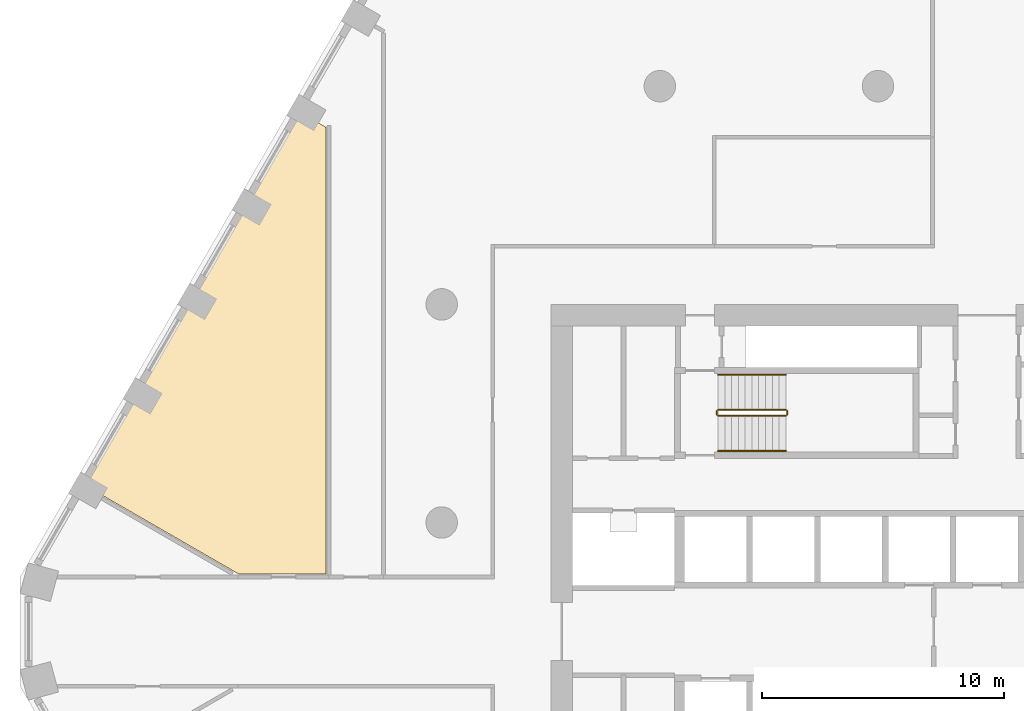
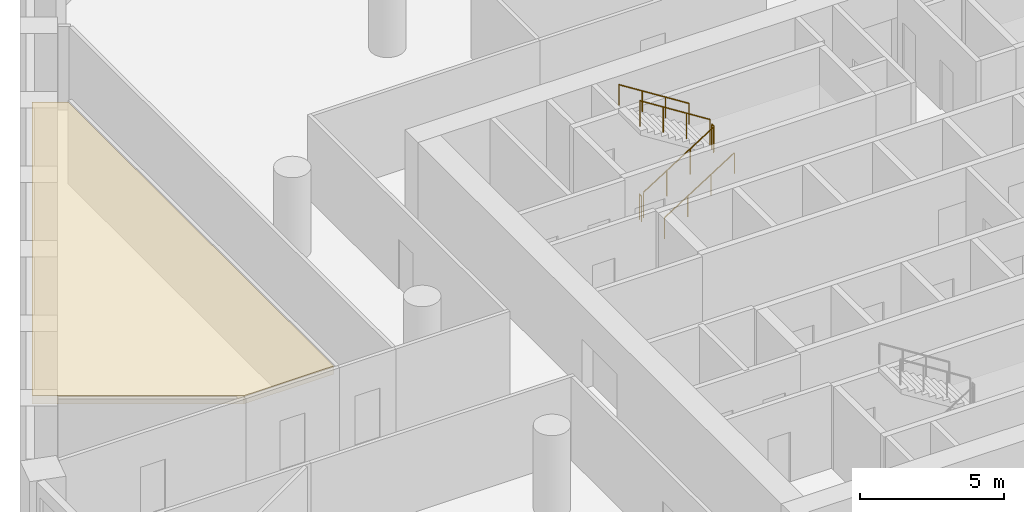
# One storey, part 12 of 14: 6 railings, 1 covering.
"""IFC4 building model written with IfcOpenShell, lengths in metres."""

from ifc_helpers import new_model, si_unit, direction, frame, origin, origin_2d, place, context, subcontext, project, spatial, polyline, circle, outline, extrude, material, layer, layer_set, type_object, element, save


model = new_model("IFC4")

# Units and contexts
model_context = context("Model", 3, precision=1e-05, world=origin(), true_north=direction((0.0, 1.0)))
body_context = subcontext(model_context, "Body", "Model", "MODEL_VIEW")
ifc_project = project(units=[si_unit("LENGTHUNIT", "METRE"), si_unit("AREAUNIT", "SQUARE_METRE"), si_unit("VOLUMEUNIT", "CUBIC_METRE"), si_unit("PLANEANGLEUNIT", "RADIAN"), si_unit("MASSUNIT", "GRAM", prefix="KILO")], contexts=[model_context])

# Site, building, storey
site_placement = place(None, origin())
site = spatial("IfcSite", under=ifc_project, at=site_placement, CompositionType="ELEMENT")
building_placement = place(site_placement, origin())
building = spatial("IfcBuilding", under=site, at=building_placement, Name="Dhurran Vertical Campus", CompositionType="ELEMENT")
storey_placement = place(building_placement, frame((0.0, 0.0, 96.89990234375)))
storey = spatial("IfcBuildingStorey", under=building, at=storey_placement, Name="L23", CompositionType="ELEMENT", Elevation=96.89990234375)

# Railings
ifc_material_1 = material(Name="Stainless steel balustrade", Category="steel")
railing_type_1 = type_object("IfcRailingType", Name="co-RL-GUARD-1100", PredefinedType="GUARDRAIL", material=ifc_material_1)
railing_1_placement = place(storey_placement, frame((-11.10009765625, 8.89990234375, 0.177490234375)))
element("IfcRailing", 1, at=railing_1_placement, inside=storey, type_object=railing_type_1, Name="L23 ST1 stair guard 1", PredefinedType="GUARDRAIL", context=body_context, shape_type="SweptSolid", body=[
    extrude(circle(Radius=0.02392578125, at=origin_2d()), frame((0.0, 0.0, 1.076171875), z_axis=(0.844908973607, 0.0, 0.534910110503), x_axis=(0.0, 1.0, 0.0)), (0.0, 0.0, 1.0), 3.31396484375),
    extrude(circle(Radius=0.02099609375, at=origin_2d()), origin(), (0.0, 0.0, 1.0), 1.052001953125),
    extrude(circle(Radius=0.02099609375, at=origin_2d()), frame((0.933349609375, 0.0, 0.5908203125)), (0.0, 0.0, 1.0), 1.052001953125),
    extrude(circle(Radius=0.02099609375, at=origin_2d()), frame((1.86669921875, 0.0, 1.181884765625)), (0.0, 0.0, 1.0), 1.052001953125),
    extrude(circle(Radius=0.02099609375, at=origin_2d()), frame((2.800048828125, 0.0, 1.772705078125)), (0.0, 0.0, 1.0), 1.052001953125),
])
railing_2_placement = place(storey_placement, frame((-8.25, 8.949951171875, 1.9501953125)))
element("IfcRailing", 2, at=railing_2_placement, inside=storey, type_object=railing_type_1, Name="L23 ST1 stair guard 2", PredefinedType="GUARDRAIL", context=body_context, shape_type="SweptSolid", body=[
    extrude(circle(Radius=0.02392578125, at=origin_2d()), frame((0.0, 0.0, 1.076171875), z_axis=(0.0, 1.0, 0.0), x_axis=(-1.0, 0.0, 0.0)), (0.0, 0.0, 1.0), 0.150146484375),
    extrude(circle(Radius=0.02099609375, at=origin_2d()), origin(), (0.0, 0.0, 1.0), 1.052001953125),
    extrude(circle(Radius=0.02099609375, at=origin_2d()), frame((0.0, 0.150146484375, 0.0)), (0.0, 0.0, 1.0), 1.052001953125),
])
railing_3_placement = place(storey_placement, frame((-8.300048828125, 9.14990234375, 2.12744140625)))
element("IfcRailing", 3, at=railing_3_placement, inside=storey, type_object=railing_type_1, Name="L23 ST1 stair guard 3", PredefinedType="GUARDRAIL", context=body_context, shape_type="SweptSolid", body=[
    extrude(circle(Radius=0.02392578125, at=origin_2d()), frame((0.0, 0.0, 1.076171875), z_axis=(-0.844908973607, 0.0, 0.534910110503), x_axis=(0.0, -1.0, 0.0)), (0.0, 0.0, 1.0), 3.31396484375),
    extrude(circle(Radius=0.02099609375, at=origin_2d()), origin(), (0.0, 0.0, 1.0), 1.052001953125),
    extrude(circle(Radius=0.02099609375, at=origin_2d()), frame((-0.933349609375, 0.0, 0.5908203125)), (0.0, 0.0, 1.0), 1.052001953125),
    extrude(circle(Radius=0.02099609375, at=origin_2d()), frame((-1.86669921875, 0.0, 1.181884765625)), (0.0, 0.0, 1.0), 1.052001953125),
    extrude(circle(Radius=0.02099609375, at=origin_2d()), frame((-2.800048828125, 0.0, 1.772705078125)), (0.0, 0.0, 1.0), 1.052001953125),
])
railing_4_placement = place(storey_placement, frame((-11.14990234375, 8.949951171875, 0.0)))
element("IfcRailing", 4, at=railing_4_placement, inside=storey, type_object=railing_type_1, Name="L23 ST1 stair guard 4", PredefinedType="GUARDRAIL", context=body_context, shape_type="SweptSolid", body=[
    extrude(circle(Radius=0.02392578125, at=origin_2d()), frame((0.0, 0.0, 1.076171875), z_axis=(0.0, 1.0, 0.0), x_axis=(-1.0, 0.0, 0.0)), (0.0, 0.0, 1.0), 0.150146484375),
    extrude(circle(Radius=0.02099609375, at=origin_2d()), origin(), (0.0, 0.0, 1.0), 1.052001953125),
    extrude(circle(Radius=0.02099609375, at=origin_2d()), frame((0.0, 0.150146484375, 0.0)), (0.0, 0.0, 1.0), 1.052001953125),
])
ifc_material_2 = material(Name="Stainless steel handrail", Category="steel")
railing_type_2 = type_object("IfcRailingType", Name="co-RL-HANDRAIL-900", PredefinedType="HANDRAIL", material=ifc_material_2)
railing_5_placement = place(storey_placement, frame((-11.10009765625, 7.449951171875, 0.177490234375)))
element("IfcRailing", 5, at=railing_5_placement, inside=storey, type_object=railing_type_2, Name="L23 ST1 stair handrail 1", PredefinedType="HANDRAIL", context=body_context, shape_type="SweptSolid", body=[
    extrude(circle(Radius=0.02392578125, at=origin_2d()), frame((0.0, 0.0, 0.8759765625), z_axis=(0.844908973607, 0.0, 0.534910110503), x_axis=(0.0, 1.0, 0.0)), (0.0, 0.0, 1.0), 3.31396484375),
    extrude(circle(Radius=0.02099609375, at=origin_2d()), origin(), (0.0, 0.0, 1.0), 0.851806640625),
    extrude(circle(Radius=0.02099609375, at=origin_2d()), frame((0.933349609375, 0.0, 0.5908203125)), (0.0, 0.0, 1.0), 0.851806640625),
    extrude(circle(Radius=0.02099609375, at=origin_2d()), frame((1.86669921875, 0.0, 1.181884765625)), (0.0, 0.0, 1.0), 0.851806640625),
    extrude(circle(Radius=0.02099609375, at=origin_2d()), frame((2.800048828125, 0.0, 1.772705078125)), (0.0, 0.0, 1.0), 0.851806640625),
])
railing_6_placement = place(storey_placement, frame((-8.300048828125, 10.60009765625, 2.12744140625)))
element("IfcRailing", 6, at=railing_6_placement, inside=storey, type_object=railing_type_2, Name="L23 ST1 stair handrail 2", PredefinedType="HANDRAIL", context=body_context, shape_type="SweptSolid", body=[
    extrude(circle(Radius=0.02392578125, at=origin_2d()), frame((0.0, 0.0, 0.8759765625), z_axis=(-0.844908973607, 0.0, 0.534910110503), x_axis=(0.0, -1.0, 0.0)), (0.0, 0.0, 1.0), 3.31396484375),
    extrude(circle(Radius=0.02099609375, at=origin_2d()), origin(), (0.0, 0.0, 1.0), 0.851806640625),
    extrude(circle(Radius=0.02099609375, at=origin_2d()), frame((-0.933349609375, 0.0, 0.5908203125)), (0.0, 0.0, 1.0), 0.851806640625),
    extrude(circle(Radius=0.02099609375, at=origin_2d()), frame((-1.86669921875, 0.0, 1.181884765625)), (0.0, 0.0, 1.0), 0.851806640625),
    extrude(circle(Radius=0.02099609375, at=origin_2d()), frame((-2.800048828125, 0.0, 1.772705078125)), (0.0, 0.0, 1.0), 0.851806640625),
])

# Covering
ifc_material_3 = material(Name="Mineral fibre ceiling tiles on suspended grid")
ifc_layer = layer(ifc_material_3, 0.35009765625)
ifc_layer_set = layer_set([ifc_layer], Name="Mineral fibre ceiling tiles on suspended grid")
covering_type = type_object("IfcCoveringType", Name="fl-CE-350 suspended ceiling", PredefinedType="CEILING", material=ifc_layer_set)
covering_placement = place(storey_placement, frame((0.0, 0.0, 3.175048828125)))
element("IfcCovering", 7, at=covering_placement, inside=storey, type_object=covering_type, Name="Ceiling 23-06", PredefinedType="CEILING", context=body_context, shape_type="SweptSolid", body=[
    extrude(outline(polyline([(-27.27001953125, 20.802001953125), (-27.27001953125, 2.3701171875), (-30.864990234375, 2.3701171875), (-37.222900390625, 6.041015625), (-28.343017578125, 21.4208984375), (-27.27001953125, 20.802001953125)])), origin(), (0.0, 0.0, 1.0), 0.35009765625),
])

save(model, "model.ifc")
